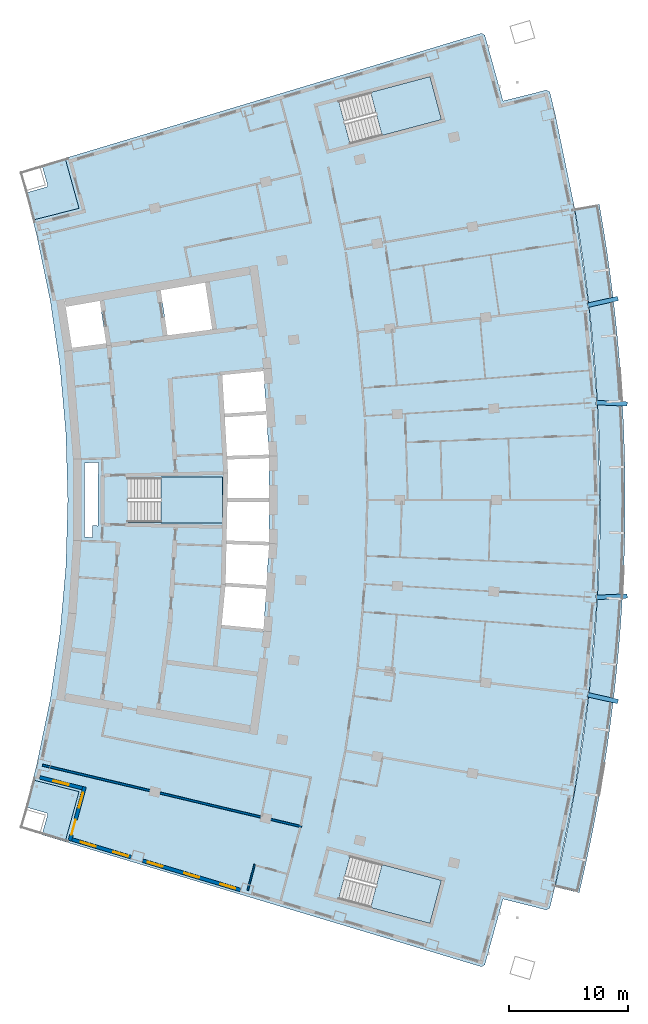
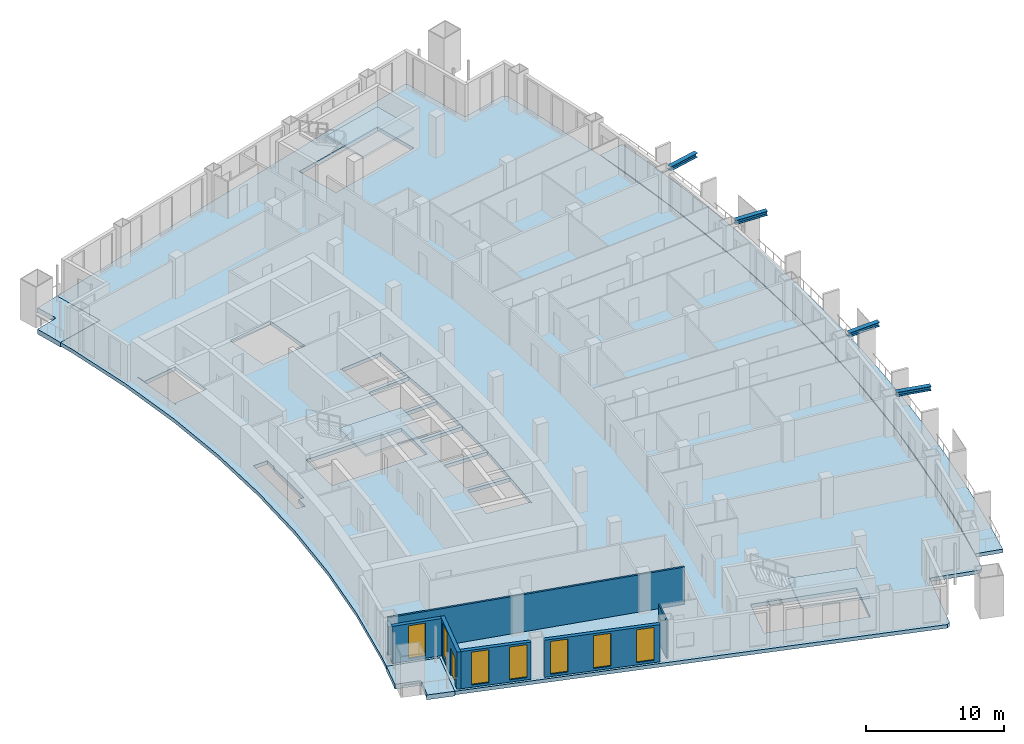
# One storey, part 10 of 20: 7 slabs, 7 windows, 6 walls, 4 members, 1 door, 8 openings, 3 elements without a shape of their own.
"""IFC4 building model written with IfcOpenShell, lengths in metres."""

from ifc_helpers import new_model, si_unit, direction, frame, frame_2d, origin, origin_2d, place, context, subcontext, project, spatial, polyline, rectangle, i_section, outline, extrude, material, layer, layer_set, material_profile, profile_set, type_object, element, fill, aggregate, save


model = new_model("IFC4")

# Units and contexts
model_context = context("Model", 3, precision=1e-05, world=origin(), true_north=direction((0.0, 1.0)))
body_context = subcontext(model_context, "Body", "Model", "MODEL_VIEW")
ifc_project = project(units=[si_unit("LENGTHUNIT", "METRE"), si_unit("AREAUNIT", "SQUARE_METRE"), si_unit("VOLUMEUNIT", "CUBIC_METRE"), si_unit("PLANEANGLEUNIT", "RADIAN"), si_unit("MASSUNIT", "GRAM", prefix="KILO")], contexts=[model_context])

# Site, building, storey
site_placement = place(None, origin())
site = spatial("IfcSite", under=ifc_project, at=site_placement, CompositionType="ELEMENT")
building_placement = place(site_placement, origin())
building = spatial("IfcBuilding", under=site, at=building_placement, Name="Alderwake Tower", CompositionType="ELEMENT")
storey_placement = place(building_placement, frame((0.0, 0.0, 142.39990234375)))
storey = spatial("IfcBuildingStorey", under=building, at=storey_placement, Name="L34", CompositionType="ELEMENT", Elevation=142.39990234375)

# Members
ifc_material_1 = material(Name="Steel ASTM A992 Grade 50", Category="steel")
ifc_material_profile = material_profile(ifc_material_1, i_section(OverallWidth=0.3740234375, OverallDepth=0.372314453125, WebThickness=0.016357421875, FlangeThickness=0.026123046875, at=origin_2d()), Name="W14X132")
ifc_profile_set = profile_set([ifc_material_profile], Name="Steel ASTM A992 Grade 50")
member_type = type_object("IfcMemberType", Name="Brace node stub W14X132", PredefinedType="MEMBER", material=ifc_profile_set)
member_1_placement = place(storey_placement, frame((59.74267578125, 44.615478515625, 3.393798828125), z_axis=(0.975585232455, -0.219621160673, 0.0), x_axis=(0.219621160673, 0.975585232455, 0.0)))
element("IfcMember", 1, at=member_1_placement, inside=storey, type_object=member_type, Name="Brace node stub BS.FR05-C5.1460", PredefinedType="MEMBER", context=body_context, shape_type="SweptSolid", body=[
    extrude(i_section(OverallWidth=0.3740234375, OverallDepth=0.372314453125, WebThickness=0.016357421875, FlangeThickness=0.026123046875, at=origin_2d()), origin(), (0.0, 0.0, 1.0), 2.6123046875),
])
for number, where, z_axis, x_axis, name in (
    (2, (60.4609375, 52.8037109375, 3.393798828125), (0.998916451836, 0.04653946983, 0.0), (-0.04653946983, 0.998916451836, 0.0), "Brace node stub BS.FR06-C5.1460"),
    (3, (60.4609375, 69.1962890625, 3.393798828125), (0.998916451836, -0.04653946983, 0.0), (0.04653946983, 0.998916451836, 0.0), "Brace node stub BS.FR08-C5.1460"),
):
    element("IfcMember", number, at=place(storey_placement, frame(where, z_axis=z_axis, x_axis=x_axis)), inside=storey, type_object=member_type, Name=name, PredefinedType="MEMBER", context=body_context, shape_type="SweptSolid", body=[
        extrude(i_section(OverallWidth=0.3740234375, OverallDepth=0.372314453125, WebThickness=0.016357421875, FlangeThickness=0.026123046875, at=origin_2d()), origin(), (0.0, 0.0, 1.0), 2.612548828125),
    ])
member_2_placement = place(storey_placement, frame((59.74267578125, 77.384521484375, 3.393798828125), z_axis=(0.975585232455, 0.219621160673, 0.0), x_axis=(-0.219621160673, 0.975585232455, 0.0)))
element("IfcMember", 4, at=member_2_placement, inside=storey, type_object=member_type, Name="Brace node stub BS.FR09-C5.1460", PredefinedType="MEMBER", context=body_context, shape_type="SweptSolid", body=[
    extrude(i_section(OverallWidth=0.3740234375, OverallDepth=0.372314453125, WebThickness=0.016357421875, FlangeThickness=0.026123046875, at=origin_2d()), origin(), (0.0, 0.0, 1.0), 2.6123046875),
])

# Slabs
ifc_material_2 = material(Name="Concrete C50/60", Category="concrete")
ifc_layer_1 = layer(ifc_material_2, 0.320068359375)
ifc_layer_set_1 = layer_set([ifc_layer_1], Name="Balcony slab 320")
slab_type_1 = type_object("IfcSlabType", Name="Balcony slab 320", PredefinedType="FLOOR", material=ifc_layer_set_1)
slab_1_placement = place(storey_placement, frame((0.0, 0.0, -0.31982421875)))
element("IfcSlab", 5, at=slab_1_placement, inside=storey, type_object=slab_type_1, Name="Balcony BF03", PredefinedType="FLOOR", context=body_context, shape_type="SweptSolid", body=[
    extrude(outline(polyline([(59.49462890625, 29.9892578125), (59.931884765625, 32.02685546875), (60.339599609375, 34.070556640625), (60.71728515625, 36.119873046875), (61.065185546875, 38.174560546875), (61.383056640625, 40.234130859375), (61.6708984375, 42.298095703125), (61.9287109375, 44.3662109375), (62.156005859375, 46.4375), (62.353271484375, 48.51220703125), (62.520263671875, 50.58935546875), (62.656982421875, 52.6689453125), (62.76318359375, 54.75), (62.839111328125, 56.832763671875), (62.884765625, 58.916015625), (62.89990234375, 61.0), (62.884765625, 63.083984375), (62.839111328125, 65.167236328125), (62.76318359375, 67.25), (62.656982421875, 69.3310546875), (62.520263671875, 71.41064453125), (62.353271484375, 73.48779296875), (62.156005859375, 75.5625), (61.9287109375, 77.6337890625), (61.6708984375, 79.701904296875), (61.383056640625, 81.765869140625), (61.065185546875, 83.825439453125), (60.71728515625, 85.880126953125), (58.6494140625, 85.514404296875), (58.9921875, 83.489990234375), (59.305419921875, 81.460693359375), (59.589111328125, 79.427001953125), (59.843017578125, 77.389404296875), (60.06689453125, 75.348388671875), (60.26123046875, 73.30419921875), (60.42578125, 71.257568359375), (60.560546875, 69.208740234375), (60.665283203125, 67.157958984375), (60.739990234375, 65.106201171875), (60.784912109375, 63.05322265625), (60.800048828125, 61.0), (60.784912109375, 58.94677734375), (60.739990234375, 56.893798828125), (60.665283203125, 54.842041015625), (60.560546875, 52.791259765625), (60.42578125, 50.742431640625), (60.26123046875, 48.69580078125), (60.06689453125, 46.651611328125), (59.843017578125, 44.610595703125), (59.589111328125, 42.572998046875), (59.305419921875, 40.539306640625), (58.9921875, 38.510009765625), (58.6494140625, 36.485595703125), (58.27734375, 34.46630859375), (57.87548828125, 32.45263671875), (57.444580078125, 30.445068359375), (56.984619140625, 28.444091796875), (59.027587890625, 27.95849609375), (59.49462890625, 29.9892578125)])), origin(), (0.0, 0.0, 1.0), 0.31982421875),
])
ifc_material_3 = material(Name="Concrete C50/60", Category="concrete")
ifc_layer_2 = layer(ifc_material_3, 0.320068359375)
ifc_layer_set_2 = layer_set([ifc_layer_2], Name="Concrete C50/60 post-tensioned flat plate 320")
slab_type_2 = type_object("IfcSlabType", Name="Concrete C50/60 post-tensioned flat plate 320", PredefinedType="FLOOR", material=ifc_layer_set_2)
slab_2_placement = place(storey_placement, frame((0.0, 0.0, -0.31982421875)))
element("IfcSlab", 6, at=slab_2_placement, inside=storey, type_object=slab_type_2, Name="Floor slab L34", PredefinedType="FLOOR", context=body_context, shape_type="SweptSolid", body=[
    extrude(outline(polyline([(13.06494140625, 37.443115234375), (13.3984375, 38.802734375), (14.53369140625, 44.28564453125), (15.347412109375, 49.825439453125), (15.836669921875, 55.4033203125), (16.0, 61.0), (15.836669921875, 66.5966796875), (15.347412109375, 72.174560546875), (14.53369140625, 77.71435546875), (13.3984375, 83.197265625), (13.06494140625, 84.556884765625), (16.942626953125, 85.53857421875), (15.776611328125, 89.7548828125), (50.802001953125, 100.2705078125), (51.083740234375, 100.114990234375), (52.617431640625, 94.568603515625), (56.272216796875, 95.493896484375), (56.5498046875, 95.326904296875), (56.984619140625, 93.555908203125), (58.6494140625, 85.514404296875), (59.843017578125, 77.389404296875), (60.560546875, 69.208740234375), (60.800048828125, 61.0), (60.560546875, 52.791259765625), (59.843017578125, 44.610595703125), (58.6494140625, 36.485595703125), (56.984619140625, 28.444091796875), (56.5498046875, 26.673095703125), (56.272216796875, 26.506103515625), (52.617431640625, 27.431396484375), (51.083740234375, 21.885009765625), (50.802001953125, 21.7294921875), (15.776611328125, 32.2451171875), (16.942626953125, 36.46142578125), (13.06494140625, 37.443115234375)]), holes=[polyline([(29.25732421875, 53.7685546875), (28.939697265625, 50.49072265625), (32.447509765625, 50.147705078125), (32.432861328125, 49.998291015625), (32.462646484375, 49.995361328125), (32.701416015625, 53.660888671875), (32.940185546875, 57.32666015625), (32.940185546875, 61.0), (32.940185546875, 64.67333984375), (32.701416015625, 68.339111328125), (32.462646484375, 72.004638671875), (32.432861328125, 72.001708984375), (32.447509765625, 71.852294921875), (28.886962890625, 71.50390625), (28.88720703125, 71.50048828125), (28.99462890625, 71.506591796875), (29.184814453125, 68.26025390625), (32.66162109375, 68.48681640625), (32.67138671875, 68.337158203125), (32.68115234375, 68.1875), (29.2021484375, 67.960693359375), (29.392578125, 64.7080078125), (32.9052734375, 64.822265625), (32.91015625, 64.67236328125), (32.9150390625, 64.5224609375), (29.41015625, 64.408447265625), (29.4765625, 63.27685546875), (29.429443359375, 61.14990234375), (32.91015625, 61.14990234375), (32.91015625, 61.0), (32.91015625, 60.85009765625), (29.4228515625, 60.85009765625), (29.350830078125, 57.593505859375), (32.9150390625, 57.4775390625), (32.91015625, 57.32763671875), (32.9052734375, 57.177734375), (29.34423828125, 57.29345703125), (29.2705078125, 53.9697265625), (29.274169921875, 53.969482421875), (29.2783203125, 54.0341796875), (32.68115234375, 53.8125), (32.67138671875, 53.662841796875), (32.66162109375, 53.51318359375), (29.2587890625, 53.73486328125), (29.260986328125, 53.768310546875), (29.25732421875, 53.7685546875)]), polyline([(21.050048828125, 62.875), (21.050048828125, 59.125), (29.0, 59.125), (29.0, 62.875), (21.050048828125, 62.875)]), polyline([(15.739013671875, 77.927490234375), (15.5361328125, 77.8916015625), (15.536865234375, 77.887939453125), (15.716796875, 77.91552734375), (16.379150390625, 73.605712890625), (16.4091796875, 73.609619140625), (16.38330078125, 73.80810546875), (19.224853515625, 74.1796875), (18.689697265625, 77.74365234375), (18.885986328125, 77.773193359375), (18.8837890625, 77.787109375), (15.854248046875, 77.261962890625), (15.739013671875, 77.927490234375)]), polyline([(27.555419921875, 79.29052734375), (23.811767578125, 78.6416015625), (24.384033203125, 74.8583984375), (24.373291015625, 74.856689453125), (24.373779296875, 74.85302734375), (28.152587890625, 75.347412109375), (27.555419921875, 79.29052734375)]), polyline([(47.436279296875, 28.996826171875), (39.754150390625, 31.043212890625), (38.7890625, 27.41943359375), (46.47119140625, 25.373291015625), (47.436279296875, 28.996826171875)]), polyline([(46.47119140625, 96.626708984375), (38.7890625, 94.58056640625), (39.754150390625, 90.956787109375), (47.436279296875, 93.003173828125), (46.47119140625, 96.626708984375)]), polyline([(17.389404296875, 64.1220703125), (17.389404296875, 57.8779296875), (18.06298828125, 57.85400390625), (18.090576171875, 58.84375), (18.544189453125, 58.831298828125), (18.529296875, 58.8681640625), (18.5234375, 58.891845703125), (18.5185546875, 58.940673828125), (18.5185546875, 63.060302734375), (18.5234375, 63.109130859375), (18.53759765625, 63.156005859375), (18.560791015625, 63.19921875), (18.588623046875, 63.2333984375), (18.562744140625, 64.16357421875), (17.389404296875, 64.1220703125)])]), origin(), (0.0, 0.0, 1.0), 0.31982421875),
])

# Stair, slab
ifc_material_4 = material(Name="Concrete C40/50", Category="concrete")
stair_type = type_object("IfcStairType", Name="Core exit stair", PredefinedType="HALF_TURN_STAIR", material=ifc_material_4)
stair_1_placement = place(storey_placement, origin())
stair_1 = element("IfcStair", 7, at=stair_1_placement, inside=storey, type_object=stair_type, Name="L34 Exit Stair B", PredefinedType="HALF_TURN_STAIR")
ifc_material_5 = material(Name="Concrete C40/50", Category="concrete")
ifc_layer_3 = layer(ifc_material_5, 0.199951171875)
ifc_layer_set_3 = layer_set([ifc_layer_3], Name="Core stair landing 200")
slab_type_3 = type_object("IfcSlabType", Name="Core stair landing 200", PredefinedType="LANDING", material=ifc_layer_set_3)
slab_3_placement = place(storey_placement, frame((0.0, 0.0, 1.60009765625)))
slab_3 = element("IfcSlab", 8, at=slab_3_placement, type_object=slab_type_3, Name="ST-B landing 1", PredefinedType="LANDING", context=body_context, shape_type="SweptSolid", body=[
    extrude(outline(polyline([(23.830078125, 59.074951171875), (29.0, 59.074951171875), (29.0, 62.925048828125), (23.830078125, 62.925048828125), (23.830078125, 59.074951171875)])), origin(), (0.0, 0.0, 1.0), 0.199951171875),
])
aggregate(stair_1, [slab_3])

stair_2_placement = place(storey_placement, origin())
stair_2 = element("IfcStair", 9, at=stair_2_placement, inside=storey, type_object=stair_type, Name="L34 Exit Stair A", PredefinedType="HALF_TURN_STAIR")
slab_4_placement = place(storey_placement, frame((0.0, 0.0, 1.60009765625)))
slab_4 = element("IfcSlab", 10, at=slab_4_placement, type_object=slab_type_3, Name="ST-A landing 1", PredefinedType="LANDING", context=body_context, shape_type="SweptSolid", body=[
    extrude(outline(polyline([(42.440673828125, 91.67236328125), (47.436279296875, 93.003173828125), (46.47119140625, 96.626708984375), (41.475341796875, 95.296142578125), (42.440673828125, 91.67236328125)])), origin(), (0.0, 0.0, 1.0), 0.199951171875),
])
aggregate(stair_2, [slab_4])

stair_3_placement = place(storey_placement, origin())
stair_3 = element("IfcStair", 11, at=stair_3_placement, inside=storey, type_object=stair_type, Name="L34 Exit Stair C", PredefinedType="HALF_TURN_STAIR")
slab_5_placement = place(storey_placement, frame((0.0, 0.0, 1.60009765625)))
slab_5 = element("IfcSlab", 12, at=slab_5_placement, type_object=slab_type_3, Name="ST-C landing 1", PredefinedType="LANDING", context=body_context, shape_type="SweptSolid", body=[
    extrude(outline(polyline([(41.475341796875, 26.703857421875), (46.47119140625, 25.373291015625), (47.436279296875, 28.996826171875), (42.4404296875, 30.32763671875), (41.475341796875, 26.703857421875)])), origin(), (0.0, 0.0, 1.0), 0.199951171875),
])
aggregate(stair_3, [slab_5])

# Slabs
ifc_material_6 = material(Name="Concrete C50/60", Category="concrete")
ifc_layer_4 = layer(ifc_material_6, 0.419921875)
ifc_layer_set_4 = layer_set([ifc_layer_4], Name="Terrace slab 420")
slab_type_4 = type_object("IfcSlabType", Name="Terrace slab 420", PredefinedType="FLOOR", material=ifc_layer_set_4)
slab_6_placement = place(storey_placement, frame((0.0, 0.0, -0.419921875)))
element("IfcSlab", 13, at=slab_6_placement, inside=storey, type_object=slab_type_4, Name="Corner terrace RS", PredefinedType="FLOOR", context=body_context, shape_type="SweptSolid", body=[
    extrude(outline(polyline([(15.776611328125, 32.2451171875), (13.768798828125, 32.847900390625), (13.77685546875, 32.851806640625), (13.789306640625, 32.859619140625), (13.801025390625, 32.868408203125), (13.81201171875, 32.878662109375), (13.82177734375, 32.8896484375), (13.830322265625, 32.901611328125), (13.837646484375, 32.914306640625), (13.84375, 32.927490234375), (13.8486328125, 32.94140625), (14.29443359375, 34.478271484375), (14.2978515625, 34.492431640625), (14.2998046875, 34.507080078125), (14.30029296875, 34.521728515625), (14.29931640625, 34.53662109375), (14.297119140625, 34.551025390625), (14.29345703125, 34.565185546875), (14.2880859375, 34.5791015625), (14.28173828125, 34.59228515625), (14.27392578125, 34.604736328125), (14.26513671875, 34.616455078125), (14.255126953125, 34.627197265625), (14.244140625, 34.63720703125), (14.232177734375, 34.645751953125), (14.219482421875, 34.653076171875), (14.2060546875, 34.6591796875), (14.192138671875, 34.6640625), (12.46337890625, 35.16552734375), (12.456787109375, 35.1669921875), (12.71142578125, 36.08837890625), (13.06494140625, 37.443115234375), (16.942626953125, 36.46142578125), (15.776611328125, 32.2451171875)])), origin(), (0.0, 0.0, 1.0), 0.419921875),
])
slab_7_placement = place(storey_placement, frame((0.0, 0.0, -0.419921875)))
element("IfcSlab", 14, at=slab_7_placement, inside=storey, type_object=slab_type_4, Name="Corner terrace RN", PredefinedType="FLOOR", context=body_context, shape_type="SweptSolid", body=[
    extrude(outline(polyline([(12.456787109375, 86.8330078125), (12.46337890625, 86.83447265625), (14.192138671875, 87.3359375), (14.2060546875, 87.3408203125), (14.219482421875, 87.346923828125), (14.232177734375, 87.354248046875), (14.244140625, 87.36279296875), (14.255126953125, 87.372802734375), (14.26513671875, 87.383544921875), (14.27392578125, 87.395263671875), (14.28173828125, 87.40771484375), (14.2880859375, 87.4208984375), (14.29345703125, 87.434814453125), (14.297119140625, 87.448974609375), (14.29931640625, 87.46337890625), (14.30029296875, 87.478271484375), (14.2998046875, 87.492919921875), (14.2978515625, 87.507568359375), (14.29443359375, 87.521728515625), (13.8486328125, 89.05859375), (13.84375, 89.072509765625), (13.837646484375, 89.085693359375), (13.830322265625, 89.098388671875), (13.82177734375, 89.1103515625), (13.81201171875, 89.121337890625), (13.801025390625, 89.131591796875), (13.789306640625, 89.140380859375), (13.77685546875, 89.148193359375), (13.768798828125, 89.152099609375), (15.776611328125, 89.7548828125), (16.942626953125, 85.53857421875), (13.06494140625, 84.556884765625), (12.71142578125, 85.91162109375), (12.456787109375, 86.8330078125)])), origin(), (0.0, 0.0, 1.0), 0.419921875),
])

# Wall
ifc_material_7 = material(Name="Gypsum board on metal studs, rated")
ifc_layer_5 = layer(ifc_material_7, 0.159912109375)
ifc_layer_set_5 = layer_set([ifc_layer_5], Name="Corridor wall 160")
wall_type_1 = type_object("IfcWallType", Name="Corridor wall 160", PredefinedType="PARTITIONING", material=ifc_layer_set_5)
wall_1_placement = place(storey_placement, frame((13.884033203125, 38.68798828125, 0.0), z_axis=(0.0, 0.0, 1.0), x_axis=(0.972893462073, -0.231253781493, 0.0)))
element("IfcWall", 15, at=wall_1_placement, inside=storey, type_object=wall_type_1, Name="WL/L34/W11", PredefinedType="PARTITIONING", context=body_context, shape_type="SweptSolid", body=[
    extrude(rectangle(XDim=22.38037109375, YDim=0.159912109375, at=frame_2d((11.190185546875, 0.0))), origin(), (0.0, 0.0, 1.0), 3.280029296875),
])

# Wall, opening, window
ifc_material_8 = material(Name="Bronze metal cladding on lightweight framing")
ifc_layer_6 = layer(ifc_material_8, 0.300048828125)
ifc_layer_set_6 = layer_set([ifc_layer_6], Name="External wall EW2 bronze metal cladding")
wall_type_2 = type_object("IfcWallType", Name="External wall EW2 bronze metal cladding", PredefinedType="SOLIDWALL", material=ifc_layer_set_6)
wall_2_placement = place(storey_placement, frame((13.633056640625, 37.660400390625, 0.0), z_axis=(0.0, 0.0, 1.0), x_axis=(0.969417366605, -0.245417948254, 0.0)))
wall_2 = element("IfcWall", 16, at=wall_2_placement, inside=storey, type_object=wall_type_2, Name="External wall 2", PredefinedType="SOLIDWALL", context=body_context, shape_type="SweptSolid", body=[
    extrude(rectangle(XDim=3.70556640625, YDim=0.300048828125, at=frame_2d((1.852783203125, 0.0))), origin(), (0.0, 0.0, 1.0), 3.280029296875),
])
opening_1_placement = place(wall_2_placement, frame((1.202880859375, 0.0, 0.199951171875)))
opening_1 = element("IfcOpeningElement", 17, at=opening_1_placement, cuts=wall_2, Name="Opening W1", PredefinedType="OPENING", context=body_context, shape_type="SweptSolid", body=[
    extrude(rectangle(XDim=1.300048828125, YDim=2.89990234375, at=frame_2d((0.64990234375, 1.449951171875))), frame((0.0, 0.159912109375, 0.0), z_axis=(0.0, -1.0, 0.0), x_axis=(1.0, 0.0, 0.0)), (0.0, 0.0, 1.0), 0.320068359375),
])
ifc_material_9 = material(Name="Bronze tinted glass in aluminium frame", Category="aluminium")
window_type = type_object("IfcWindowType", Name="Window W1 tall fixed and vent", PartitioningType="DOUBLE_PANEL_VERTICAL", PredefinedType="WINDOW", material=ifc_material_9)
window_1_placement = place(opening_1_placement, origin())
window_1 = element("IfcWindow", 18, at=window_1_placement, inside=storey, type_object=window_type, Name="Window W1 tall fixed and vent", OverallHeight=2.89990234375, OverallWidth=1.300048828125, PartitioningType="DOUBLE_PANEL_VERTICAL", PredefinedType="WINDOW", context=body_context, shape_type="SweptSolid", body=[
    extrude(rectangle(XDim=1.300048828125, YDim=2.89990234375, at=frame_2d((0.64990234375, 1.449951171875))), frame((0.0, 0.030029296875, 0.0), z_axis=(0.0, -1.0, 0.0), x_axis=(1.0, 0.0, 0.0)), (0.0, 0.0, 1.0), 0.06005859375),
])
fill(opening_1, window_1)

# Wall, openings, door, window
wall_3_placement = place(storey_placement, frame((17.410400390625, 36.85888671875, 0.0), z_axis=(0.0, 0.0, 1.0), x_axis=(-0.264592640785, -0.96436027212, 0.0)))
wall_3 = element("IfcWall", 19, at=wall_3_placement, inside=storey, type_object=wall_type_2, Name="External wall 3", PredefinedType="SOLIDWALL", context=body_context, shape_type="SweptSolid", body=[
    extrude(rectangle(XDim=4.690185546875, YDim=0.300048828125, at=frame_2d((2.34521484375, 0.0))), origin(), (0.0, 0.0, 1.0), 3.280029296875),
])
opening_2_placement = place(wall_3_placement, frame((0.5224609375, 0.0, 0.199951171875)))
opening_2 = element("IfcOpeningElement", 20, at=opening_2_placement, cuts=wall_3, Name="Opening W1", PredefinedType="OPENING", context=body_context, shape_type="SweptSolid", body=[
    extrude(rectangle(XDim=1.300048828125, YDim=2.89990234375, at=frame_2d((0.64990234375, 1.449951171875))), frame((0.0, 0.159912109375, 0.0), z_axis=(0.0, -1.0, 0.0), x_axis=(1.0, 0.0, 0.0)), (0.0, 0.0, 1.0), 0.320068359375),
])
opening_3_placement = place(wall_3_placement, frame((2.867431640625, 0.0, 0.0)))
opening_3 = element("IfcOpeningElement", 21, at=opening_3_placement, cuts=wall_3, Name="Opening D01", PredefinedType="OPENING", context=body_context, shape_type="SweptSolid", body=[
    extrude(rectangle(XDim=1.300048828125, YDim=2.39990234375, at=frame_2d((0.64990234375, 1.199951171875))), frame((0.0, 0.159912109375, 0.0), z_axis=(0.0, -1.0, 0.0), x_axis=(1.0, 0.0, 0.0)), (0.0, 0.0, 1.0), 0.320068359375),
])
ifc_material_10 = material(Name="Bronze tinted glass in aluminium frame", Category="aluminium")
door_type = type_object("IfcDoorType", Name="Balcony door BD sliding", OperationType="SLIDING_TO_LEFT", PredefinedType="DOOR", material=ifc_material_10)
door_placement = place(opening_3_placement, origin())
door = element("IfcDoor", 22, at=door_placement, inside=storey, type_object=door_type, Name="Door D01", OperationType="SLIDING_TO_LEFT", OverallHeight=2.39990234375, OverallWidth=1.300048828125, PredefinedType="DOOR", context=body_context, shape_type="SweptSolid", body=[
    extrude(rectangle(XDim=1.300048828125, YDim=2.39990234375, at=frame_2d((0.64990234375, 1.199951171875))), frame((0.0, 0.02490234375, 0.0), z_axis=(0.0, -1.0, 0.0), x_axis=(1.0, 0.0, 0.0)), (0.0, 0.0, 1.0), 0.050048828125),
])
fill(opening_3, door)
window_2_placement = place(opening_2_placement, origin())
window_2 = element("IfcWindow", 23, at=window_2_placement, inside=storey, type_object=window_type, Name="Window W1 tall fixed and vent", OverallHeight=2.89990234375, OverallWidth=1.300048828125, PartitioningType="DOUBLE_PANEL_VERTICAL", PredefinedType="WINDOW", context=body_context, shape_type="SweptSolid", body=[
    extrude(rectangle(XDim=1.300048828125, YDim=2.89990234375, at=frame_2d((0.64990234375, 1.449951171875))), frame((0.0, 0.030029296875, 0.0), z_axis=(0.0, -1.0, 0.0), x_axis=(1.0, 0.0, 0.0)), (0.0, 0.0, 1.0), 0.06005859375),
])
fill(opening_2, window_2)

# Wall, openings, windows
wall_4_placement = place(storey_placement, frame((16.352783203125, 32.4375, 0.0), z_axis=(0.0, 0.0, 1.0), x_axis=(0.95776681843, -0.287546033732, 0.0)))
wall_4 = element("IfcWall", 24, at=wall_4_placement, inside=storey, type_object=wall_type_2, Name="External wall 4", PredefinedType="SOLIDWALL", context=body_context, shape_type="SweptSolid", body=[
    extrude(rectangle(XDim=5.199462890625, YDim=0.300048828125, at=frame_2d((2.599609375, 0.0))), origin(), (0.0, 0.0, 1.0), 3.280029296875),
])
opening_4_placement = place(wall_4_placement, frame((0.775390625, 0.0, 0.199951171875)))
opening_4 = element("IfcOpeningElement", 25, at=opening_4_placement, cuts=wall_4, Name="Opening W1", PredefinedType="OPENING", context=body_context, shape_type="SweptSolid", body=[
    extrude(rectangle(XDim=1.300048828125, YDim=2.89990234375, at=frame_2d((0.64990234375, 1.449951171875))), frame((0.0, 0.159912109375, 0.0), z_axis=(0.0, -1.0, 0.0), x_axis=(1.0, 0.0, 0.0)), (0.0, 0.0, 1.0), 0.320068359375),
])
opening_5_placement = place(wall_4_placement, frame((3.626220703125, 0.0, 0.199951171875)))
opening_5 = element("IfcOpeningElement", 26, at=opening_5_placement, cuts=wall_4, Name="Opening W1", PredefinedType="OPENING", context=body_context, shape_type="SweptSolid", body=[
    extrude(rectangle(XDim=1.300048828125, YDim=2.89990234375, at=frame_2d((0.64990234375, 1.449951171875))), frame((0.0, 0.159912109375, 0.0), z_axis=(0.0, -1.0, 0.0), x_axis=(1.0, 0.0, 0.0)), (0.0, 0.0, 1.0), 0.320068359375),
])
window_3_placement = place(opening_4_placement, origin())
window_3 = element("IfcWindow", 27, at=window_3_placement, inside=storey, type_object=window_type, Name="Window W1 tall fixed and vent", OverallHeight=2.89990234375, OverallWidth=1.300048828125, PartitioningType="DOUBLE_PANEL_VERTICAL", PredefinedType="WINDOW", context=body_context, shape_type="SweptSolid", body=[
    extrude(rectangle(XDim=1.300048828125, YDim=2.89990234375, at=frame_2d((0.64990234375, 1.449951171875))), frame((0.0, 0.030029296875, 0.0), z_axis=(0.0, -1.0, 0.0), x_axis=(1.0, 0.0, 0.0)), (0.0, 0.0, 1.0), 0.06005859375),
])
fill(opening_4, window_3)
window_4_placement = place(opening_5_placement, origin())
window_4 = element("IfcWindow", 28, at=window_4_placement, inside=storey, type_object=window_type, Name="Window W1 tall fixed and vent", OverallHeight=2.89990234375, OverallWidth=1.300048828125, PartitioningType="DOUBLE_PANEL_VERTICAL", PredefinedType="WINDOW", context=body_context, shape_type="SweptSolid", body=[
    extrude(rectangle(XDim=1.300048828125, YDim=2.89990234375, at=frame_2d((0.64990234375, 1.449951171875))), frame((0.0, 0.030029296875, 0.0), z_axis=(0.0, -1.0, 0.0), x_axis=(1.0, 0.0, 0.0)), (0.0, 0.0, 1.0), 0.06005859375),
])
fill(opening_5, window_4)

wall_5_placement = place(storey_placement, frame((22.294677734375, 30.653564453125, 0.0), z_axis=(0.0, 0.0, 1.0), x_axis=(0.957768419769, -0.287540699891, 0.0)))
wall_5 = element("IfcWall", 29, at=wall_5_placement, inside=storey, type_object=wall_type_2, Name="External wall 5", PredefinedType="SOLIDWALL", context=body_context, shape_type="SweptSolid", body=[
    extrude(rectangle(XDim=8.595947265625, YDim=0.300048828125, at=frame_2d((4.2978515625, 0.0))), origin(), (0.0, 0.0, 1.0), 3.280029296875),
])
opening_6_placement = place(wall_5_placement, frame((0.44775390625, 0.0, 0.199951171875)))
opening_6 = element("IfcOpeningElement", 30, at=opening_6_placement, cuts=wall_5, Name="Opening W1", PredefinedType="OPENING", context=body_context, shape_type="SweptSolid", body=[
    extrude(rectangle(XDim=1.300048828125, YDim=2.89990234375, at=frame_2d((0.64990234375, 1.449951171875))), frame((0.0, 0.159912109375, 0.0), z_axis=(0.0, -1.0, 0.0), x_axis=(1.0, 0.0, 0.0)), (0.0, 0.0, 1.0), 0.320068359375),
])
opening_7_placement = place(wall_5_placement, frame((3.647705078125, 0.0, 0.199951171875)))
opening_7 = element("IfcOpeningElement", 31, at=opening_7_placement, cuts=wall_5, Name="Opening W1", PredefinedType="OPENING", context=body_context, shape_type="SweptSolid", body=[
    extrude(rectangle(XDim=1.300048828125, YDim=2.89990234375, at=frame_2d((0.64990234375, 1.449951171875))), frame((0.0, 0.159912109375, 0.0), z_axis=(0.0, -1.0, 0.0), x_axis=(1.0, 0.0, 0.0)), (0.0, 0.0, 1.0), 0.320068359375),
])
opening_8_placement = place(wall_5_placement, frame((6.847900390625, 0.0, 0.199951171875)))
opening_8 = element("IfcOpeningElement", 32, at=opening_8_placement, cuts=wall_5, Name="Opening W1", PredefinedType="OPENING", context=body_context, shape_type="SweptSolid", body=[
    extrude(rectangle(XDim=1.300048828125, YDim=2.89990234375, at=frame_2d((0.64990234375, 1.449951171875))), frame((0.0, 0.159912109375, 0.0), z_axis=(0.0, -1.0, 0.0), x_axis=(1.0, 0.0, 0.0)), (0.0, 0.0, 1.0), 0.320068359375),
])
window_5_placement = place(opening_6_placement, origin())
window_5 = element("IfcWindow", 33, at=window_5_placement, inside=storey, type_object=window_type, Name="Window W1 tall fixed and vent", OverallHeight=2.89990234375, OverallWidth=1.300048828125, PartitioningType="DOUBLE_PANEL_VERTICAL", PredefinedType="WINDOW", context=body_context, shape_type="SweptSolid", body=[
    extrude(rectangle(XDim=1.300048828125, YDim=2.89990234375, at=frame_2d((0.64990234375, 1.449951171875))), frame((0.0, 0.030029296875, 0.0), z_axis=(0.0, -1.0, 0.0), x_axis=(1.0, 0.0, 0.0)), (0.0, 0.0, 1.0), 0.06005859375),
])
fill(opening_6, window_5)
window_6_placement = place(opening_7_placement, origin())
window_6 = element("IfcWindow", 34, at=window_6_placement, inside=storey, type_object=window_type, Name="Window W1 tall fixed and vent", OverallHeight=2.89990234375, OverallWidth=1.300048828125, PartitioningType="DOUBLE_PANEL_VERTICAL", PredefinedType="WINDOW", context=body_context, shape_type="SweptSolid", body=[
    extrude(rectangle(XDim=1.300048828125, YDim=2.89990234375, at=frame_2d((0.64990234375, 1.449951171875))), frame((0.0, 0.030029296875, 0.0), z_axis=(0.0, -1.0, 0.0), x_axis=(1.0, 0.0, 0.0)), (0.0, 0.0, 1.0), 0.06005859375),
])
fill(opening_7, window_6)
window_7_placement = place(opening_8_placement, origin())
window_7 = element("IfcWindow", 35, at=window_7_placement, inside=storey, type_object=window_type, Name="Window W1 tall fixed and vent", OverallHeight=2.89990234375, OverallWidth=1.300048828125, PartitioningType="DOUBLE_PANEL_VERTICAL", PredefinedType="WINDOW", context=body_context, shape_type="SweptSolid", body=[
    extrude(rectangle(XDim=1.300048828125, YDim=2.89990234375, at=frame_2d((0.64990234375, 1.449951171875))), frame((0.0, 0.030029296875, 0.0), z_axis=(0.0, -1.0, 0.0), x_axis=(1.0, 0.0, 0.0)), (0.0, 0.0, 1.0), 0.06005859375),
])
fill(opening_8, window_7)

# Wall
ifc_material_11 = material(Name="Moisture resistant gypsum board on metal studs")
ifc_layer_7 = layer(ifc_material_11, 0.1201171875)
ifc_layer_set_7 = layer_set([ifc_layer_7], Name="Wet room partition 120")
wall_type_3 = type_object("IfcWallType", Name="Wet room partition 120", PredefinedType="PARTITIONING", material=ifc_layer_set_7)
wall_6_placement = place(storey_placement, frame((31.72265625, 30.343017578125, 0.0), z_axis=(0.0, 0.0, 1.0), x_axis=(-0.259787988076, -0.965665677785, 0.0)))
element("IfcWall", 36, at=wall_6_placement, inside=storey, type_object=wall_type_3, Name="WL/L34/W32", PredefinedType="PARTITIONING", context=body_context, shape_type="SweptSolid", body=[
    extrude(rectangle(XDim=2.265869140625, YDim=0.1201171875, at=frame_2d((1.1328125, 0.0))), origin(), (0.0, 0.0, 1.0), 3.280029296875),
])

save(model, "model.ifc")
